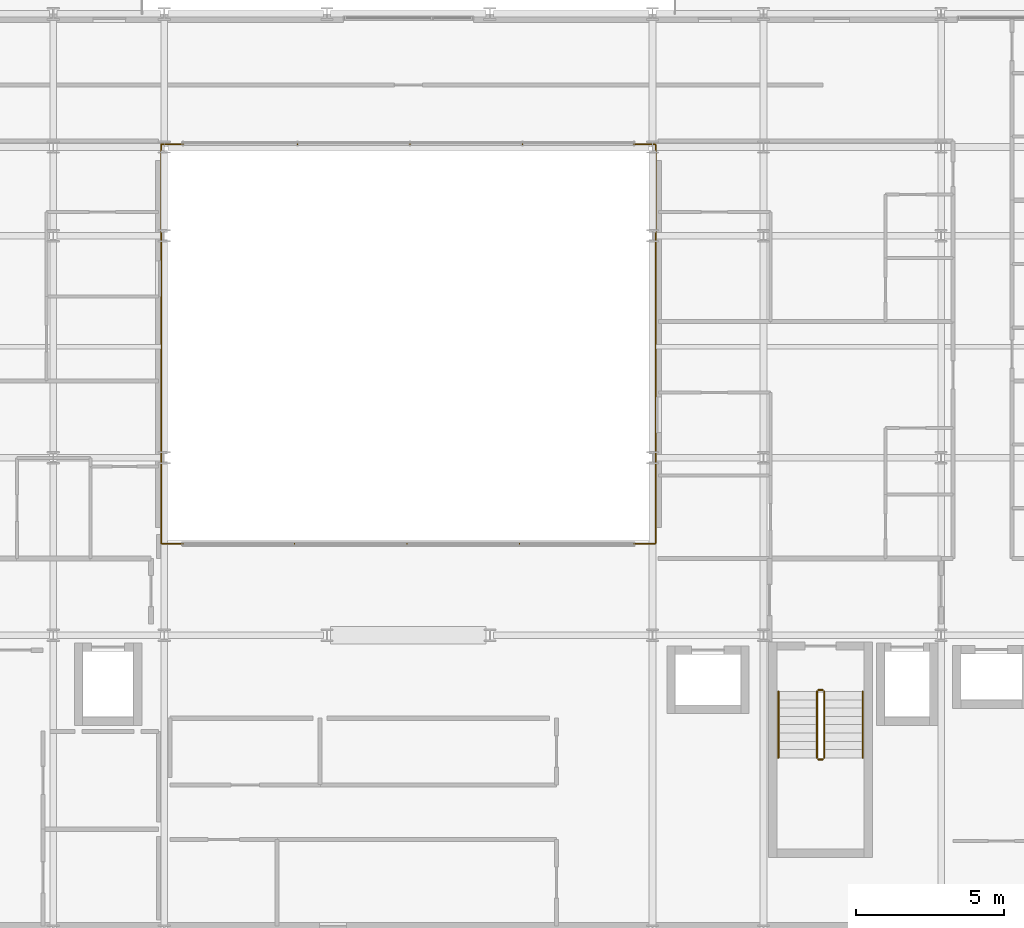
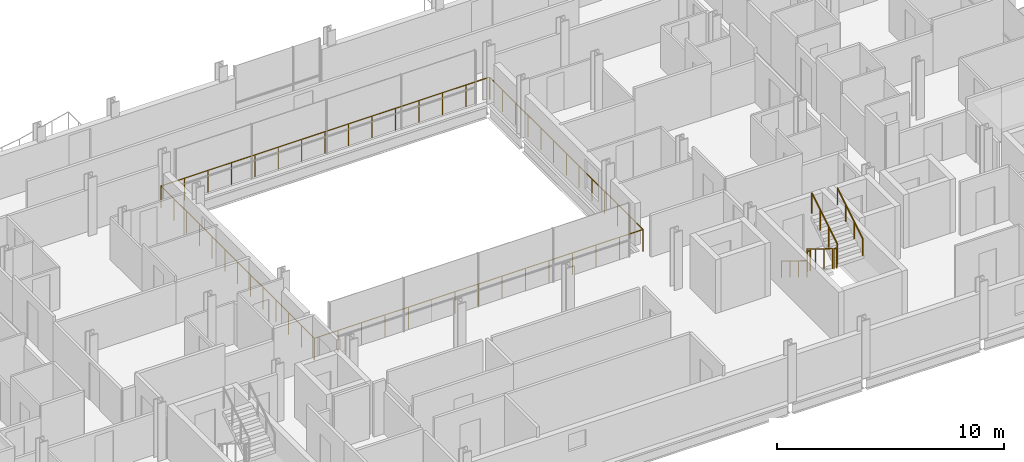
# One storey, part 37 of 38: 8 railings.
"""IFC4 building model written with IfcOpenShell, lengths in metres."""

from ifc_helpers import new_model, si_unit, direction, frame, origin, origin_2d, place, context, subcontext, project, spatial, circle, extrude, material, type_object, element, save


model = new_model("IFC4")

# Units and contexts
model_context = context("Model", 3, precision=1e-05, world=origin(), true_north=direction((0.0, 1.0)))
body_context = subcontext(model_context, "Body", "Model", "MODEL_VIEW")
ifc_project = project(units=[si_unit("LENGTHUNIT", "METRE"), si_unit("AREAUNIT", "SQUARE_METRE"), si_unit("VOLUMEUNIT", "CUBIC_METRE"), si_unit("PLANEANGLEUNIT", "RADIAN"), si_unit("MASSUNIT", "GRAM", prefix="KILO")], contexts=[model_context])

# Site, building, storey
site_placement = place(None, origin())
site = spatial("IfcSite", under=ifc_project, at=site_placement, CompositionType="ELEMENT")
building_placement = place(site_placement, origin())
building = spatial("IfcBuilding", under=site, at=building_placement, Name="Brevholm Reach", CompositionType="ELEMENT")
storey_placement = place(building_placement, frame((0.0, 0.0, 122.10009765625)))
storey = spatial("IfcBuildingStorey", under=building, at=storey_placement, Name="L36", CompositionType="ELEMENT", Elevation=122.10009765625)

# Railings
ifc_material_1 = material(Name="Brushed Stainless Steel EN 1.4401 Continuous Handrail", Category="steel")
railing_type_1 = type_object("IfcRailingType", Name="RAL-HND-950", PredefinedType="HANDRAIL", material=ifc_material_1)
railing_1_placement = place(storey_placement, frame((42.5, 8.10009765625, 0.172119140625)))
element("IfcRailing", 1, at=railing_1_placement, inside=storey, type_object=railing_type_1, Name="L36 ST-2 stair handrail 1", PredefinedType="HANDRAIL", context=body_context, shape_type="SweptSolid", body=[
    extrude(circle(Radius=0.02392578125, at=origin_2d()), frame((0.0, 0.0, 0.8857421875), z_axis=(0.0, -0.85178898068, 0.523885037382), x_axis=(1.0, 0.0, 0.0)), (0.0, 0.0, 1.0), 2.629638671875),
    extrude(circle(Radius=0.02099609375, at=origin_2d()), origin(), (0.0, 0.0, 1.0), 0.86181640625),
    extrude(circle(Radius=0.02099609375, at=origin_2d()), frame((0.0, -0.74658203125, 0.459228515625)), (0.0, 0.0, 1.0), 0.86181640625),
    extrude(circle(Radius=0.02099609375, at=origin_2d()), frame((0.0, -1.493408203125, 0.91845703125)), (0.0, 0.0, 1.0), 0.86181640625),
    extrude(circle(Radius=0.02099609375, at=origin_2d()), frame((0.0, -2.239990234375, 1.377685546875)), (0.0, 0.0, 1.0), 0.86181640625),
])
railing_2_placement = place(storey_placement, frame((45.35009765625, 5.860107421875, 1.72216796875)))
element("IfcRailing", 2, at=railing_2_placement, inside=storey, type_object=railing_type_1, Name="L36 ST-2 stair handrail 2", PredefinedType="HANDRAIL", context=body_context, shape_type="SweptSolid", body=[
    extrude(circle(Radius=0.02392578125, at=origin_2d()), frame((0.0, 0.0, 0.8857421875), z_axis=(0.0, 0.85178898068, 0.523885037382), x_axis=(-1.0, 0.0, 0.0)), (0.0, 0.0, 1.0), 2.629638671875),
    extrude(circle(Radius=0.02099609375, at=origin_2d()), origin(), (0.0, 0.0, 1.0), 0.86181640625),
    extrude(circle(Radius=0.02099609375, at=origin_2d()), frame((0.0, 0.74658203125, 0.459228515625)), (0.0, 0.0, 1.0), 0.86181640625),
    extrude(circle(Radius=0.02099609375, at=origin_2d()), frame((0.0, 1.493408203125, 0.91845703125)), (0.0, 0.0, 1.0), 0.86181640625),
    extrude(circle(Radius=0.02099609375, at=origin_2d()), frame((0.0, 2.239990234375, 1.377685546875)), (0.0, 0.0, 1.0), 0.86181640625),
])
ifc_material_2 = material(Name="Painted Tubular Galvanised Steel S275JR Stair Guard", Category="steel")
railing_type_2 = type_object("IfcRailingType", Name="RAL-STG-1120", PredefinedType="BALUSTRADE", material=ifc_material_2)
railing_3_placement = place(storey_placement, frame((43.800048828125, 8.10009765625, 0.172119140625)))
element("IfcRailing", 3, at=railing_3_placement, inside=storey, type_object=railing_type_2, Name="L36 ST-2 stair guard 1", PredefinedType="BALUSTRADE", context=body_context, shape_type="SweptSolid", body=[
    extrude(circle(Radius=0.02392578125, at=origin_2d()), frame((0.0, 0.0, 1.076171875), z_axis=(0.0, -0.85178898068, 0.523885037382), x_axis=(1.0, 0.0, 0.0)), (0.0, 0.0, 1.0), 2.629638671875),
    extrude(circle(Radius=0.02099609375, at=origin_2d()), origin(), (0.0, 0.0, 1.0), 1.052001953125),
    extrude(circle(Radius=0.02099609375, at=origin_2d()), frame((0.0, -0.74658203125, 0.459228515625)), (0.0, 0.0, 1.0), 1.052001953125),
    extrude(circle(Radius=0.02099609375, at=origin_2d()), frame((0.0, -1.493408203125, 0.91845703125)), (0.0, 0.0, 1.0), 1.052001953125),
    extrude(circle(Radius=0.02099609375, at=origin_2d()), frame((0.0, -2.239990234375, 1.377685546875)), (0.0, 0.0, 1.0), 1.052001953125),
])
railing_4_placement = place(storey_placement, frame((43.85009765625, 5.81005859375, 1.5498046875)))
element("IfcRailing", 4, at=railing_4_placement, inside=storey, type_object=railing_type_2, Name="L36 ST-2 stair guard 2", PredefinedType="BALUSTRADE", context=body_context, shape_type="SweptSolid", body=[
    extrude(circle(Radius=0.02392578125, at=origin_2d()), frame((0.0, 0.0, 1.076171875), z_axis=(1.0, 0.0, 0.0), x_axis=(0.0, 1.0, 0.0)), (0.0, 0.0, 1.0), 0.14990234375),
    extrude(circle(Radius=0.02099609375, at=origin_2d()), origin(), (0.0, 0.0, 1.0), 1.052001953125),
    extrude(circle(Radius=0.02099609375, at=origin_2d()), frame((0.14990234375, 0.0, 0.0)), (0.0, 0.0, 1.0), 1.052001953125),
])
railing_5_placement = place(storey_placement, frame((44.050048828125, 5.860107421875, 1.72216796875)))
element("IfcRailing", 5, at=railing_5_placement, inside=storey, type_object=railing_type_2, Name="L36 ST-2 stair guard 3", PredefinedType="BALUSTRADE", context=body_context, shape_type="SweptSolid", body=[
    extrude(circle(Radius=0.02392578125, at=origin_2d()), frame((0.0, 0.0, 1.076171875), z_axis=(0.0, 0.85178898068, 0.523885037382), x_axis=(-1.0, 0.0, 0.0)), (0.0, 0.0, 1.0), 2.629638671875),
    extrude(circle(Radius=0.02099609375, at=origin_2d()), origin(), (0.0, 0.0, 1.0), 1.052001953125),
    extrude(circle(Radius=0.02099609375, at=origin_2d()), frame((0.0, 0.74658203125, 0.459228515625)), (0.0, 0.0, 1.0), 1.052001953125),
    extrude(circle(Radius=0.02099609375, at=origin_2d()), frame((0.0, 1.493408203125, 0.91845703125)), (0.0, 0.0, 1.0), 1.052001953125),
    extrude(circle(Radius=0.02099609375, at=origin_2d()), frame((0.0, 2.239990234375, 1.377685546875)), (0.0, 0.0, 1.0), 1.052001953125),
])
railing_6_placement = place(storey_placement, frame((43.85009765625, 8.14990234375, 0.0)))
element("IfcRailing", 6, at=railing_6_placement, inside=storey, type_object=railing_type_2, Name="L36 ST-2 stair guard 4", PredefinedType="BALUSTRADE", context=body_context, shape_type="SweptSolid", body=[
    extrude(circle(Radius=0.02392578125, at=origin_2d()), frame((0.0, 0.0, 1.076171875), z_axis=(1.0, 0.0, 0.0), x_axis=(0.0, 1.0, 0.0)), (0.0, 0.0, 1.0), 0.14990234375),
    extrude(circle(Radius=0.02099609375, at=origin_2d()), origin(), (0.0, 0.0, 1.0), 1.052001953125),
    extrude(circle(Radius=0.02099609375, at=origin_2d()), frame((0.14990234375, 0.0, 0.0)), (0.0, 0.0, 1.0), 1.052001953125),
])
ifc_material_3 = material(Name="Brushed Stainless Steel EN 1.4401 and Laminated Glass", Category="steel")
railing_type_3 = type_object("IfcRailingType", Name="RAL-TERR-1200", PredefinedType="BALUSTRADE", material=ifc_material_3)
railing_7_placement = place(storey_placement, frame((21.64990234375, 13.10009765625, 0.0)))
element("IfcRailing", 7, at=railing_7_placement, inside=storey, type_object=railing_type_3, Name="L36 Guard Balustrade RAL-L36-AT-VOID-SW", PredefinedType="BALUSTRADE", context=body_context, shape_type="SweptSolid", body=[
    extrude(circle(Radius=0.02392578125, at=origin_2d()), frame((0.0, 0.0, 1.17578125), z_axis=(1.0, 0.0, 0.0), x_axis=(0.0, 1.0, 0.0)), (0.0, 0.0, 1.0), 16.7001953125),
    extrude(circle(Radius=0.02392578125, at=origin_2d()), frame((16.7001953125, 0.0, 1.17578125), z_axis=(0.0, 1.0, 0.0), x_axis=(-1.0, 0.0, 0.0)), (0.0, 0.0, 1.0), 13.47998046875),
    extrude(circle(Radius=0.02099609375, at=origin_2d()), origin(), (0.0, 0.0, 1.0), 1.15185546875),
    extrude(circle(Radius=0.02099609375, at=origin_2d()), frame((1.19287109375, 0.0, 0.0)), (0.0, 0.0, 1.0), 1.15185546875),
    extrude(circle(Radius=0.02099609375, at=origin_2d()), frame((2.3857421875, 0.0, 0.0)), (0.0, 0.0, 1.0), 1.15185546875),
    extrude(circle(Radius=0.02099609375, at=origin_2d()), frame((3.57861328125, 0.0, 0.0)), (0.0, 0.0, 1.0), 1.15185546875),
    extrude(circle(Radius=0.02099609375, at=origin_2d()), frame((4.771484375, 0.0, 0.0)), (0.0, 0.0, 1.0), 1.15185546875),
    extrude(circle(Radius=0.02099609375, at=origin_2d()), frame((5.96435546875, 0.0, 0.0)), (0.0, 0.0, 1.0), 1.15185546875),
    extrude(circle(Radius=0.02099609375, at=origin_2d()), frame((7.1572265625, 0.0, 0.0)), (0.0, 0.0, 1.0), 1.15185546875),
    extrude(circle(Radius=0.02099609375, at=origin_2d()), frame((8.35009765625, 0.0, 0.0)), (0.0, 0.0, 1.0), 1.15185546875),
    extrude(circle(Radius=0.02099609375, at=origin_2d()), frame((9.54296875, 0.0, 0.0)), (0.0, 0.0, 1.0), 1.15185546875),
    extrude(circle(Radius=0.02099609375, at=origin_2d()), frame((10.73583984375, 0.0, 0.0)), (0.0, 0.0, 1.0), 1.15185546875),
    extrude(circle(Radius=0.02099609375, at=origin_2d()), frame((11.9287109375, 0.0, 0.0)), (0.0, 0.0, 1.0), 1.15185546875),
    extrude(circle(Radius=0.02099609375, at=origin_2d()), frame((13.12158203125, 0.0, 0.0)), (0.0, 0.0, 1.0), 1.15185546875),
    extrude(circle(Radius=0.02099609375, at=origin_2d()), frame((14.314453125, 0.0, 0.0)), (0.0, 0.0, 1.0), 1.15185546875),
    extrude(circle(Radius=0.02099609375, at=origin_2d()), frame((15.50732421875, 0.0, 0.0)), (0.0, 0.0, 1.0), 1.15185546875),
    extrude(circle(Radius=0.02099609375, at=origin_2d()), frame((16.7001953125, 0.0, 0.0)), (0.0, 0.0, 1.0), 1.15185546875),
    extrude(circle(Radius=0.02099609375, at=origin_2d()), frame((16.7001953125, 1.123291015625, 0.0)), (0.0, 0.0, 1.0), 1.15185546875),
    extrude(circle(Radius=0.02099609375, at=origin_2d()), frame((16.7001953125, 2.24658203125, 0.0)), (0.0, 0.0, 1.0), 1.15185546875),
    extrude(circle(Radius=0.02099609375, at=origin_2d()), frame((16.7001953125, 3.3701171875, 0.0)), (0.0, 0.0, 1.0), 1.15185546875),
    extrude(circle(Radius=0.02099609375, at=origin_2d()), frame((16.7001953125, 4.493408203125, 0.0)), (0.0, 0.0, 1.0), 1.15185546875),
    extrude(circle(Radius=0.02099609375, at=origin_2d()), frame((16.7001953125, 5.61669921875, 0.0)), (0.0, 0.0, 1.0), 1.15185546875),
    extrude(circle(Radius=0.02099609375, at=origin_2d()), frame((16.7001953125, 6.739990234375, 0.0)), (0.0, 0.0, 1.0), 1.15185546875),
    extrude(circle(Radius=0.02099609375, at=origin_2d()), frame((16.7001953125, 7.86328125, 0.0)), (0.0, 0.0, 1.0), 1.15185546875),
    extrude(circle(Radius=0.02099609375, at=origin_2d()), frame((16.7001953125, 8.986572265625, 0.0)), (0.0, 0.0, 1.0), 1.15185546875),
    extrude(circle(Radius=0.02099609375, at=origin_2d()), frame((16.7001953125, 10.10986328125, 0.0)), (0.0, 0.0, 1.0), 1.15185546875),
    extrude(circle(Radius=0.02099609375, at=origin_2d()), frame((16.7001953125, 11.2333984375, 0.0)), (0.0, 0.0, 1.0), 1.15185546875),
    extrude(circle(Radius=0.02099609375, at=origin_2d()), frame((16.7001953125, 12.356689453125, 0.0)), (0.0, 0.0, 1.0), 1.15185546875),
    extrude(circle(Radius=0.02099609375, at=origin_2d()), frame((16.7001953125, 13.47998046875, 0.0)), (0.0, 0.0, 1.0), 1.15185546875),
])
railing_8_placement = place(storey_placement, frame((38.330078125, 26.60009765625, 0.0)))
element("IfcRailing", 8, at=railing_8_placement, inside=storey, type_object=railing_type_3, Name="L36 Guard Balustrade RAL-L36-AT-VOID-NE", PredefinedType="BALUSTRADE", context=body_context, shape_type="SweptSolid", body=[
    extrude(circle(Radius=0.02392578125, at=origin_2d()), frame((0.0, 0.0, 1.17578125), z_axis=(-1.0, 0.0, 0.0), x_axis=(0.0, -1.0, 0.0)), (0.0, 0.0, 1.0), 16.68017578125),
    extrude(circle(Radius=0.02392578125, at=origin_2d()), frame((-16.68017578125, 0.0, 1.17578125), z_axis=(0.0, -1.0, 0.0), x_axis=(1.0, 0.0, 0.0)), (0.0, 0.0, 1.0), 13.47998046875),
    extrude(circle(Radius=0.02099609375, at=origin_2d()), origin(), (0.0, 0.0, 1.0), 1.15185546875),
    extrude(circle(Radius=0.02099609375, at=origin_2d()), frame((-1.19140625, 0.0, 0.0)), (0.0, 0.0, 1.0), 1.15185546875),
    extrude(circle(Radius=0.02099609375, at=origin_2d()), frame((-2.3828125, 0.0, 0.0)), (0.0, 0.0, 1.0), 1.15185546875),
    extrude(circle(Radius=0.02099609375, at=origin_2d()), frame((-3.57421875, 0.0, 0.0)), (0.0, 0.0, 1.0), 1.15185546875),
    extrude(circle(Radius=0.02099609375, at=origin_2d()), frame((-4.765869140625, 0.0, 0.0)), (0.0, 0.0, 1.0), 1.15185546875),
    extrude(circle(Radius=0.02099609375, at=origin_2d()), frame((-5.957275390625, 0.0, 0.0)), (0.0, 0.0, 1.0), 1.15185546875),
    extrude(circle(Radius=0.02099609375, at=origin_2d()), frame((-7.148681640625, 0.0, 0.0)), (0.0, 0.0, 1.0), 1.15185546875),
    extrude(circle(Radius=0.02099609375, at=origin_2d()), frame((-8.340087890625, 0.0, 0.0)), (0.0, 0.0, 1.0), 1.15185546875),
    extrude(circle(Radius=0.02099609375, at=origin_2d()), frame((-9.531494140625, 0.0, 0.0)), (0.0, 0.0, 1.0), 1.15185546875),
    extrude(circle(Radius=0.02099609375, at=origin_2d()), frame((-10.722900390625, 0.0, 0.0)), (0.0, 0.0, 1.0), 1.15185546875),
    extrude(circle(Radius=0.02099609375, at=origin_2d()), frame((-11.914306640625, 0.0, 0.0)), (0.0, 0.0, 1.0), 1.15185546875),
    extrude(circle(Radius=0.02099609375, at=origin_2d()), frame((-13.10595703125, 0.0, 0.0)), (0.0, 0.0, 1.0), 1.15185546875),
    extrude(circle(Radius=0.02099609375, at=origin_2d()), frame((-14.29736328125, 0.0, 0.0)), (0.0, 0.0, 1.0), 1.15185546875),
    extrude(circle(Radius=0.02099609375, at=origin_2d()), frame((-15.48876953125, 0.0, 0.0)), (0.0, 0.0, 1.0), 1.15185546875),
    extrude(circle(Radius=0.02099609375, at=origin_2d()), frame((-16.68017578125, 0.0, 0.0)), (0.0, 0.0, 1.0), 1.15185546875),
    extrude(circle(Radius=0.02099609375, at=origin_2d()), frame((-16.68017578125, -1.123291015625, 0.0)), (0.0, 0.0, 1.0), 1.15185546875),
    extrude(circle(Radius=0.02099609375, at=origin_2d()), frame((-16.68017578125, -2.24658203125, 0.0)), (0.0, 0.0, 1.0), 1.15185546875),
    extrude(circle(Radius=0.02099609375, at=origin_2d()), frame((-16.68017578125, -3.3701171875, 0.0)), (0.0, 0.0, 1.0), 1.15185546875),
    extrude(circle(Radius=0.02099609375, at=origin_2d()), frame((-16.68017578125, -4.493408203125, 0.0)), (0.0, 0.0, 1.0), 1.15185546875),
    extrude(circle(Radius=0.02099609375, at=origin_2d()), frame((-16.68017578125, -5.61669921875, 0.0)), (0.0, 0.0, 1.0), 1.15185546875),
    extrude(circle(Radius=0.02099609375, at=origin_2d()), frame((-16.68017578125, -6.739990234375, 0.0)), (0.0, 0.0, 1.0), 1.15185546875),
    extrude(circle(Radius=0.02099609375, at=origin_2d()), frame((-16.68017578125, -7.86328125, 0.0)), (0.0, 0.0, 1.0), 1.15185546875),
    extrude(circle(Radius=0.02099609375, at=origin_2d()), frame((-16.68017578125, -8.986572265625, 0.0)), (0.0, 0.0, 1.0), 1.15185546875),
    extrude(circle(Radius=0.02099609375, at=origin_2d()), frame((-16.68017578125, -10.10986328125, 0.0)), (0.0, 0.0, 1.0), 1.15185546875),
    extrude(circle(Radius=0.02099609375, at=origin_2d()), frame((-16.68017578125, -11.2333984375, 0.0)), (0.0, 0.0, 1.0), 1.15185546875),
    extrude(circle(Radius=0.02099609375, at=origin_2d()), frame((-16.68017578125, -12.356689453125, 0.0)), (0.0, 0.0, 1.0), 1.15185546875),
    extrude(circle(Radius=0.02099609375, at=origin_2d()), frame((-16.68017578125, -13.47998046875, 0.0)), (0.0, 0.0, 1.0), 1.15185546875),
])

save(model, "model.ifc")
